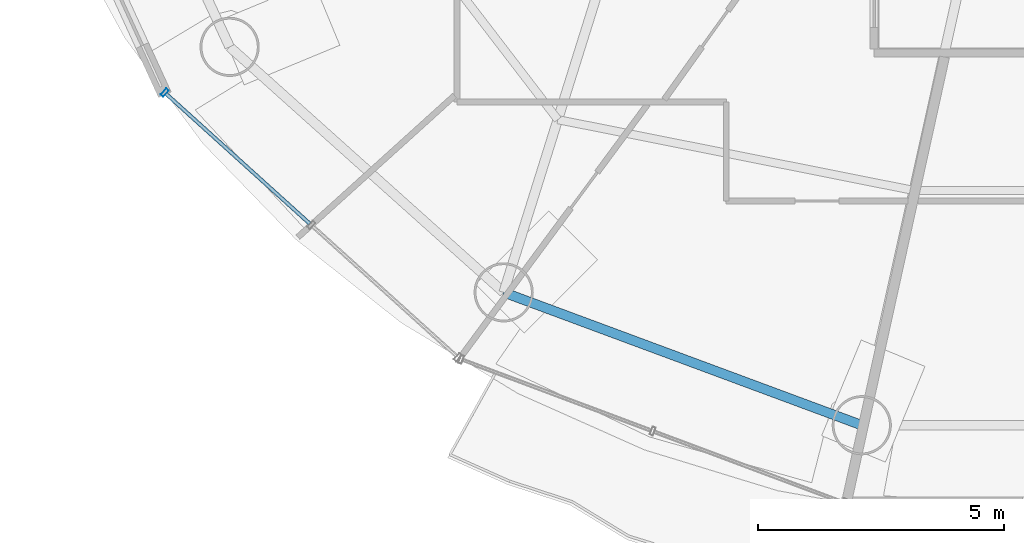
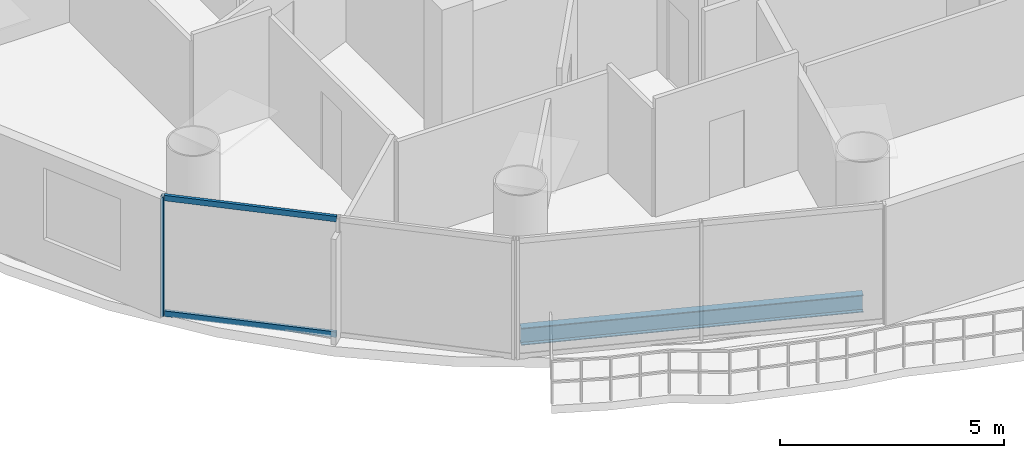
# One storey, part 3 of 26: 3 members, 1 beam, 1 element without a shape of its own.
"""IFC4 building model written with IfcOpenShell, lengths in metres."""

from ifc_helpers import new_model, si_unit, direction, frame, origin, origin_2d, place, context, subcontext, project, spatial, hollow_rectangle, i_section, extrude, source, transform, mapped, material, material_profile, profile_set, type_object, element, aggregate, save


model = new_model("IFC4")

# Units and contexts
model_context = context("Model", 3, precision=1e-05, world=origin(), true_north=direction((-0.2419218956, 0.970295726276)))
body_context = subcontext(model_context, "Body", "Model", "MODEL_VIEW")
ifc_project = project(units=[si_unit("LENGTHUNIT", "METRE"), si_unit("AREAUNIT", "SQUARE_METRE"), si_unit("VOLUMEUNIT", "CUBIC_METRE"), si_unit("PLANEANGLEUNIT", "RADIAN"), si_unit("MASSUNIT", "GRAM", prefix="KILO")], contexts=[model_context])

# Site, building, storey
site_placement = place(None, origin())
site = spatial("IfcSite", under=ifc_project, at=site_placement, CompositionType="ELEMENT")
building_placement = place(site_placement, origin())
building = spatial("IfcBuilding", under=site, at=building_placement, Name="Cobrevalo Terracotta Tower", CompositionType="ELEMENT")
storey_placement = place(building_placement, frame((0.0, 0.0, 239.300048828125)))
storey = spatial("IfcBuildingStorey", under=building, at=storey_placement, Name="L63", CompositionType="ELEMENT", Elevation=239.300048828125)

# Beam
ifc_material_1 = material(Name="Steel S355", Category="steel")
ifc_material_profile_1 = material_profile(ifc_material_1, i_section(OverallWidth=0.194091796875, OverallDepth=0.468994140625, WebThickness=0.011474609375, FlangeThickness=0.0205078125, at=origin_2d()), Name="W 460x106")
ifc_profile_set_1 = profile_set([ifc_material_profile_1], Name="Steel S355")
beam_type = type_object("IfcBeamType", Name="Structural Spandrel W 460x106 (Steel S355)", PredefinedType="SPANDREL", material=ifc_profile_set_1)
beam_placement = place(storey_placement, frame((26.80517578125, 11.7919921875, -0.49951171875), z_axis=(0.937545996665, -0.347861328892, 0.0), x_axis=(0.347861328892, 0.937545996665, 0.0)))
element("IfcBeam", 1, at=beam_placement, inside=storey, type_object=beam_type, Name="L63 perimeter ring spandrel 11", PredefinedType="SPANDREL", context=body_context, shape_type="SweptSolid", body=[
    extrude(i_section(OverallWidth=0.194091796875, OverallDepth=0.468994140625, WebThickness=0.011474609375, FlangeThickness=0.0205078125, at=origin_2d()), origin(), (0.0, 0.0, 1.0), 7.74755859375),
])

# Curtain wall, members
ifc_material_2 = material(Name="Anodized aluminium", Category="aluminium")
curtain_wall_type = type_object("IfcCurtainWallType", Name="Mid-tower high-wind unitised curtain wall CW-U2", PredefinedType="NOTDEFINED", material=ifc_material_2)
curtain_wall_placement = place(storey_placement, origin())
curtain_wall = element("IfcCurtainWall", 2, at=curtain_wall_placement, inside=storey, type_object=curtain_wall_type, Name="L63 curtain wall CW-L63-S10", PredefinedType="NOTDEFINED")
ifc_material_profile_2 = material_profile(ifc_material_2, hollow_rectangle(XDim=0.074951171875, YDim=0.14990234375, WallThickness=0.00439453125, at=origin_2d()), Name="CWT 75x150")
ifc_profile_set_2 = profile_set([ifc_material_profile_2], Name="Anodized aluminium")
member_type_1 = type_object("IfcMemberType", Name="Tower unitised aluminium transom 75x150", PredefinedType="USERDEFINED", material=ifc_profile_set_2)
shared_shape_1 = source(origin(), body_context, "Body", "SweptSolid", [
    extrude(hollow_rectangle(XDim=0.074951171875, YDim=0.14990234375, WallThickness=0.00439453125, at=origin_2d()), origin(), (0.0, 0.0, 1.0), 3.927490234375),
])
member_1_placement = place(storey_placement, frame((19.958251953125, 15.818359375, 0.050048828125), z_axis=(0.741975952623, -0.670426495396, 0.0), x_axis=(0.670426495396, 0.741975952623, 0.0)))
member_1 = element("IfcMember", 3, at=member_1_placement, type_object=member_type_1, Name="CW-L63-S10 transom B01-T1", ObjectType="TRANSOM", PredefinedType="USERDEFINED", context=body_context, shape_type="MappedRepresentation", body=[
    mapped(shared_shape_1, transform((0.0, 0.0, 0.0), scale=1.0)),
])
member_2_placement = place(storey_placement, frame((19.958251953125, 15.818359375, 3.199951171875), z_axis=(0.741975952623, -0.670426495396, 0.0), x_axis=(0.670426495396, 0.741975952623, 0.0)))
member_2 = element("IfcMember", 4, at=member_2_placement, type_object=member_type_1, Name="CW-L63-S10 transom B01-T2", ObjectType="TRANSOM", PredefinedType="USERDEFINED", context=body_context, shape_type="MappedRepresentation", body=[
    mapped(shared_shape_1, transform((0.0, 0.0, 0.0), scale=1.0)),
])
ifc_material_profile_3 = material_profile(ifc_material_2, hollow_rectangle(XDim=0.070068359375, YDim=0.169921875, WallThickness=0.00439453125, at=origin_2d()), Name="CWM 70x170")
ifc_profile_set_3 = profile_set([ifc_material_profile_3], Name="Anodized aluminium")
member_type_2 = type_object("IfcMemberType", Name="Upper tower unitised mullion 70x170", PredefinedType="MULLION", material=ifc_profile_set_3)
shared_shape_2 = source(origin(), body_context, "Body", "SweptSolid", [
    extrude(hollow_rectangle(XDim=0.070068359375, YDim=0.169921875, WallThickness=0.00439453125, at=origin_2d()), origin(), (0.0, 0.0, 1.0), 3.25),
])
member_3_placement = place(storey_placement, frame((19.928466796875, 15.84521484375, 0.0), z_axis=(0.0, 0.0, 1.0), x_axis=(0.741987542015, -0.670413668935, 0.0)))
member_3 = element("IfcMember", 5, at=member_3_placement, type_object=member_type_2, Name="CW-L63-S10 vertical mullion 01", PredefinedType="MULLION", context=body_context, shape_type="MappedRepresentation", body=[
    mapped(shared_shape_2, transform((0.0, 0.0, 0.0), scale=1.0)),
])
aggregate(curtain_wall, [member_3, member_1, member_2])

save(model, "model.ifc")
